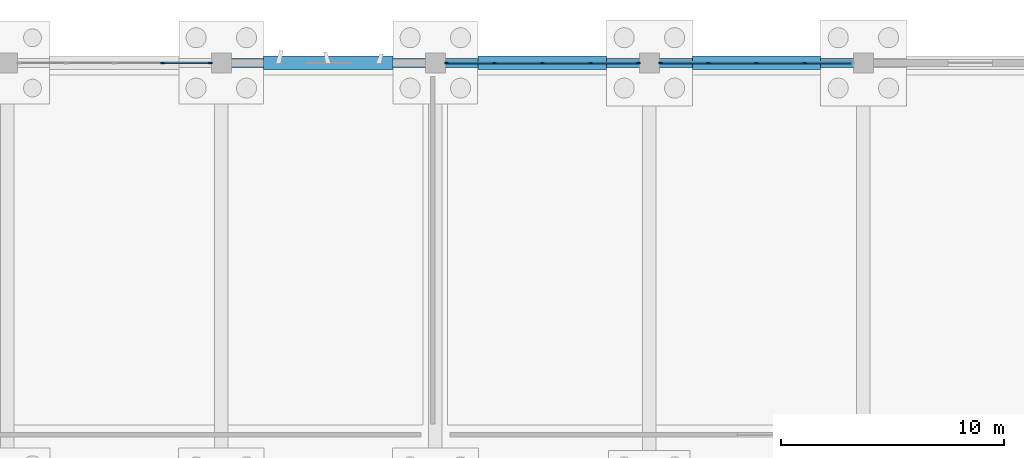
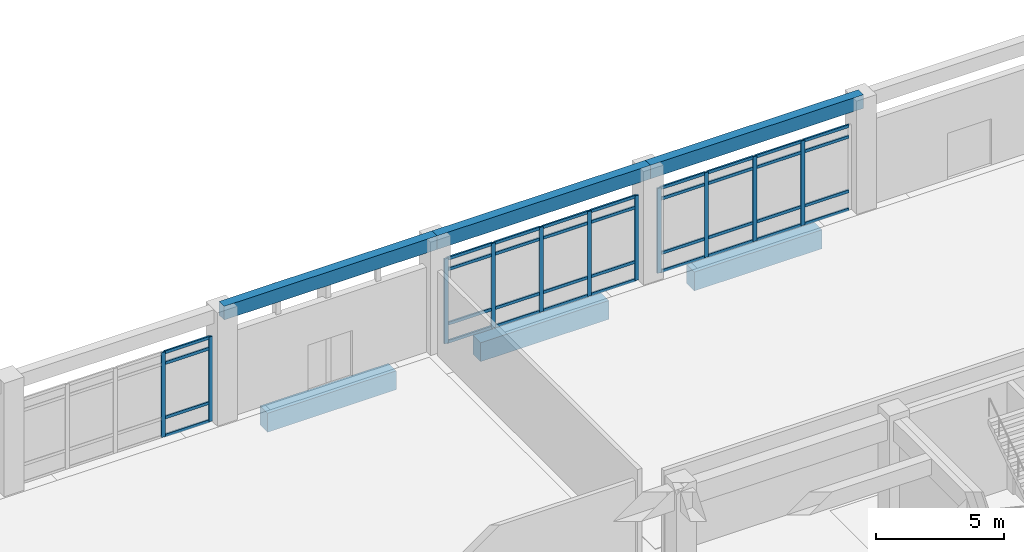
# One storey, part 38 of 102: 47 members, 6 beams, 3 elements without a shape of their own.
"""IFC4 building model written with IfcOpenShell, lengths in metres."""

from ifc_helpers import new_model, si_unit, direction, frame, origin, origin_2d, place, context, subcontext, project, spatial, rectangle, extrude, material, layer, layer_set, material_profile, profile_set, type_object, element, aggregate, save


model = new_model("IFC4")

# Units and contexts
model_context = context("Model", 3, precision=1e-05, world=origin(), true_north=direction((0.0, 1.0)))
body_context = subcontext(model_context, "Body", "Model", "MODEL_VIEW")
ifc_project = project(units=[si_unit("LENGTHUNIT", "METRE"), si_unit("AREAUNIT", "SQUARE_METRE"), si_unit("VOLUMEUNIT", "CUBIC_METRE"), si_unit("PLANEANGLEUNIT", "RADIAN"), si_unit("MASSUNIT", "GRAM", prefix="KILO")], contexts=[model_context])

# Site, building, storey
site_placement = place(None, origin())
site = spatial("IfcSite", under=ifc_project, at=site_placement, CompositionType="ELEMENT")
building_placement = place(site_placement, origin())
building = spatial("IfcBuilding", under=site, at=building_placement, Name="Kolvemor Railside Polytechnic", CompositionType="ELEMENT")
storey_placement = place(building_placement, origin())
storey = spatial("IfcBuildingStorey", under=building, at=storey_placement, Name="L00", CompositionType="ELEMENT", Elevation=0.0)

# Beams
ifc_material_1 = material(Name="Concrete C40/50", Category="concrete")
ifc_material_profile_1 = material_profile(ifc_material_1, rectangle(XDim=0.39990234375, YDim=0.64990234375, at=origin_2d()), Name="RC400x650")
ifc_profile_set_1 = profile_set([ifc_material_profile_1], Name="Concrete C40/50")
beam_type_1 = type_object("IfcBeamType", Name="BM-RC-EDGE", PredefinedType="LINTEL", material=ifc_profile_set_1)
beam_1_placement = place(storey_placement, frame((67.199951171875, 120.0, 5.074951171875), z_axis=(1.0, 0.0, 0.0), x_axis=(0.0, 1.0, 0.0)))
element("IfcBeam", 1, at=beam_1_placement, inside=storey, type_object=beam_type_1, Name="Workshop L01 Spandrel 2014", PredefinedType="LINTEL", context=body_context, shape_type="SweptSolid", body=[
    extrude(rectangle(XDim=0.39990234375, YDim=0.64990234375, at=origin_2d()), origin(), (0.0, 0.0, 1.0), 9.60009765625),
])
beam_2_placement = place(storey_placement, frame((76.800048828125, 120.0, 5.074951171875), z_axis=(1.0, 0.0, 0.0), x_axis=(0.0, 1.0, 0.0)))
element("IfcBeam", 2, at=beam_2_placement, inside=storey, type_object=beam_type_1, Name="Workshop L01 Spandrel 2015", PredefinedType="LINTEL", context=body_context, shape_type="SweptSolid", body=[
    extrude(rectangle(XDim=0.39990234375, YDim=0.64990234375, at=origin_2d()), origin(), (0.0, 0.0, 1.0), 9.599853515625),
])
beam_3_placement = place(storey_placement, frame((86.39990234375, 120.0, 5.074951171875), z_axis=(1.0, 0.0, 0.0), x_axis=(0.0, 1.0, 0.0)))
element("IfcBeam", 3, at=beam_3_placement, inside=storey, type_object=beam_type_1, Name="Workshop L01 Spandrel 2016", PredefinedType="LINTEL", context=body_context, shape_type="SweptSolid", body=[
    extrude(rectangle(XDim=0.39990234375, YDim=0.64990234375, at=origin_2d()), origin(), (0.0, 0.0, 1.0), 9.60009765625),
])
ifc_material_2 = material(Name="Concrete C40/50", Category="concrete")
ifc_material_profile_2 = material_profile(ifc_material_2, rectangle(XDim=0.60009765625, YDim=0.89990234375, at=origin_2d()), Name="RC600x900")
ifc_profile_set_2 = profile_set([ifc_material_profile_2], Name="Concrete C40/50")
beam_type_2 = type_object("IfcBeamType", Name="BM-RC-TIE", PredefinedType="BEAM", material=ifc_profile_set_2)
beam_4_placement = place(storey_placement, frame((69.10205078125, 120.0, -0.75), z_axis=(1.0, 0.0, 0.0), x_axis=(0.0, 1.0, 0.0)))
element("IfcBeam", 4, at=beam_4_placement, inside=storey, type_object=beam_type_2, Name="Ground Tie Beam GTB-X219", PredefinedType="BEAM", context=body_context, shape_type="SweptSolid", body=[
    extrude(rectangle(XDim=0.60009765625, YDim=0.89990234375, at=origin_2d()), origin(), (0.0, 0.0, 1.0), 5.7958984375),
])
beam_5_placement = place(storey_placement, frame((78.701904296875, 120.0, -0.75), z_axis=(1.0, 0.0, 0.0), x_axis=(0.0, 1.0, 0.0)))
element("IfcBeam", 5, at=beam_5_placement, inside=storey, type_object=beam_type_2, Name="Ground Tie Beam GTB-X220", PredefinedType="BEAM", context=body_context, shape_type="SweptSolid", body=[
    extrude(rectangle(XDim=0.60009765625, YDim=0.89990234375, at=origin_2d()), origin(), (0.0, 0.0, 1.0), 5.77099609375),
])
beam_6_placement = place(storey_placement, frame((88.326904296875, 120.0, -0.75), z_axis=(1.0, 0.0, 0.0), x_axis=(0.0, 1.0, 0.0)))
element("IfcBeam", 6, at=beam_6_placement, inside=storey, type_object=beam_type_2, Name="Ground Tie Beam GTB-X221", PredefinedType="BEAM", context=body_context, shape_type="SweptSolid", body=[
    extrude(rectangle(XDim=0.60009765625, YDim=0.89990234375, at=origin_2d()), origin(), (0.0, 0.0, 1.0), 5.74609375),
])

# Curtain wall, members
ifc_material_3 = material(Name="Anodised marine aluminium and laminated low-E glass", Category="aluminium")
ifc_layer = layer(ifc_material_3, 0.179931640625, Name="CW-UNIT-WKS")
ifc_layer_set = layer_set([ifc_layer], Name="Anodised marine aluminium and laminated low-E glass")
curtain_wall_type = type_object("IfcCurtainWallType", Name="CW-UNIT-WKS", PredefinedType="USERDEFINED", material=ifc_layer_set)
curtain_wall_1_placement = place(storey_placement, origin())
curtain_wall_1 = element("IfcCurtainWall", 7, at=curtain_wall_1_placement, inside=storey, type_object=curtain_wall_type, Name="Curtain Wall L00-007", ObjectType="UNITISED CURTAIN WALL", PredefinedType="USERDEFINED")
ifc_material_4 = material(Name="Anodised marine aluminium 6063-T6", Category="aluminium")
ifc_material_profile_3 = material_profile(ifc_material_4, rectangle(XDim=0.074951171875, YDim=0.179931640625, at=origin_2d()), Name="CW-MUL-75x180")
ifc_profile_set_3 = profile_set([ifc_material_profile_3], Name="Anodised marine aluminium 6063-T6")
member_type_1 = type_object("IfcMemberType", Name="CWM-75x180", PredefinedType="MULLION", material=ifc_profile_set_3)
member_1_placement = place(storey_placement, frame((66.6923828125, 120.0, 0.0), z_axis=(0.0, 0.0, 1.0), x_axis=(0.0, -1.0, 0.0)))
member_1 = element("IfcMember", 8, at=member_1_placement, type_object=member_type_1, Name="CW-WKS mullion 1", PredefinedType="MULLION", context=body_context, shape_type="SweptSolid", body=[
    extrude(rectangle(XDim=0.074951171875, YDim=0.179931640625, at=origin_2d()), origin(), (0.0, 0.0, 1.0), 4.0400390625),
])
member_2_placement = place(storey_placement, frame((64.56494140625, 120.0, 0.0), z_axis=(0.0, 0.0, 1.0), x_axis=(0.0, -1.0, 0.0)))
member_2 = element("IfcMember", 9, at=member_2_placement, type_object=member_type_1, Name="CW-WKS mullion 2", PredefinedType="MULLION", context=body_context, shape_type="SweptSolid", body=[
    extrude(rectangle(XDim=0.074951171875, YDim=0.179931640625, at=origin_2d()), origin(), (0.0, 0.0, 1.0), 4.0400390625),
])

curtain_wall_2_placement = place(storey_placement, origin())
curtain_wall_2 = element("IfcCurtainWall", 10, at=curtain_wall_2_placement, inside=storey, type_object=curtain_wall_type, Name="Curtain Wall L00-012", ObjectType="UNITISED CURTAIN WALL", PredefinedType="USERDEFINED")
member_3_placement = place(storey_placement, frame((85.892578125, 120.0, 0.0), z_axis=(0.0, 0.0, 1.0), x_axis=(0.0, -1.0, 0.0)))
member_3 = element("IfcMember", 11, at=member_3_placement, type_object=member_type_1, Name="CW-WKS mullion 1", PredefinedType="MULLION", context=body_context, shape_type="SweptSolid", body=[
    extrude(rectangle(XDim=0.074951171875, YDim=0.179931640625, at=origin_2d()), origin(), (0.0, 0.0, 1.0), 4.0400390625),
])
member_4_placement = place(storey_placement, frame((83.764892578125, 120.0, 0.0), z_axis=(0.0, 0.0, 1.0), x_axis=(0.0, -1.0, 0.0)))
member_4 = element("IfcMember", 12, at=member_4_placement, type_object=member_type_1, Name="CW-WKS mullion 2", PredefinedType="MULLION", context=body_context, shape_type="SweptSolid", body=[
    extrude(rectangle(XDim=0.074951171875, YDim=0.179931640625, at=origin_2d()), origin(), (0.0, 0.0, 1.0), 4.0400390625),
])
member_5_placement = place(storey_placement, frame((81.60009765625, 120.0, 0.0), z_axis=(0.0, 0.0, 1.0), x_axis=(0.0, -1.0, 0.0)))
member_5 = element("IfcMember", 13, at=member_5_placement, type_object=member_type_1, Name="CW-WKS mullion 3", PredefinedType="MULLION", context=body_context, shape_type="SweptSolid", body=[
    extrude(rectangle(XDim=0.074951171875, YDim=0.179931640625, at=origin_2d()), origin(), (0.0, 0.0, 1.0), 4.0400390625),
])
member_6_placement = place(storey_placement, frame((79.43505859375, 120.0, 0.0), z_axis=(0.0, 0.0, 1.0), x_axis=(0.0, -1.0, 0.0)))
member_6 = element("IfcMember", 14, at=member_6_placement, type_object=member_type_1, Name="CW-WKS mullion 4", PredefinedType="MULLION", context=body_context, shape_type="SweptSolid", body=[
    extrude(rectangle(XDim=0.074951171875, YDim=0.179931640625, at=origin_2d()), origin(), (0.0, 0.0, 1.0), 4.0400390625),
])
member_7_placement = place(storey_placement, frame((77.3076171875, 120.0, 0.0), z_axis=(0.0, 0.0, 1.0), x_axis=(0.0, -1.0, 0.0)))
member_7 = element("IfcMember", 15, at=member_7_placement, type_object=member_type_1, Name="CW-WKS mullion 5", PredefinedType="MULLION", context=body_context, shape_type="SweptSolid", body=[
    extrude(rectangle(XDim=0.074951171875, YDim=0.179931640625, at=origin_2d()), origin(), (0.0, 0.0, 1.0), 4.0400390625),
])

curtain_wall_3_placement = place(storey_placement, origin())
curtain_wall_3 = element("IfcCurtainWall", 16, at=curtain_wall_3_placement, inside=storey, type_object=curtain_wall_type, Name="Curtain Wall L00-015", ObjectType="UNITISED CURTAIN WALL", PredefinedType="USERDEFINED")
member_8_placement = place(storey_placement, frame((93.364990234375, 120.0, 0.0), z_axis=(0.0, 0.0, 1.0), x_axis=(0.0, -1.0, 0.0)))
member_8 = element("IfcMember", 17, at=member_8_placement, type_object=member_type_1, Name="CW-WKS mullion 2", PredefinedType="MULLION", context=body_context, shape_type="SweptSolid", body=[
    extrude(rectangle(XDim=0.074951171875, YDim=0.179931640625, at=origin_2d()), origin(), (0.0, 0.0, 1.0), 4.0400390625),
])
member_9_placement = place(storey_placement, frame((91.199951171875, 120.0, 0.0), z_axis=(0.0, 0.0, 1.0), x_axis=(0.0, -1.0, 0.0)))
member_9 = element("IfcMember", 18, at=member_9_placement, type_object=member_type_1, Name="CW-WKS mullion 3", PredefinedType="MULLION", context=body_context, shape_type="SweptSolid", body=[
    extrude(rectangle(XDim=0.074951171875, YDim=0.179931640625, at=origin_2d()), origin(), (0.0, 0.0, 1.0), 4.0400390625),
])
member_10_placement = place(storey_placement, frame((89.034912109375, 120.0, 0.0), z_axis=(0.0, 0.0, 1.0), x_axis=(0.0, -1.0, 0.0)))
member_10 = element("IfcMember", 19, at=member_10_placement, type_object=member_type_1, Name="CW-WKS mullion 4", PredefinedType="MULLION", context=body_context, shape_type="SweptSolid", body=[
    extrude(rectangle(XDim=0.074951171875, YDim=0.179931640625, at=origin_2d()), origin(), (0.0, 0.0, 1.0), 4.0400390625),
])
member_11_placement = place(storey_placement, frame((86.907470703125, 120.0, 0.0), z_axis=(0.0, 0.0, 1.0), x_axis=(0.0, -1.0, 0.0)))
member_11 = element("IfcMember", 20, at=member_11_placement, type_object=member_type_1, Name="CW-WKS mullion 5", PredefinedType="MULLION", context=body_context, shape_type="SweptSolid", body=[
    extrude(rectangle(XDim=0.074951171875, YDim=0.179931640625, at=origin_2d()), origin(), (0.0, 0.0, 1.0), 4.0400390625),
])

# Member
ifc_material_5 = material(Name="Anodised marine aluminium 6063-T6", Category="aluminium")
ifc_material_profile_4 = material_profile(ifc_material_5, rectangle(XDim=0.074951171875, YDim=0.139892578125, at=origin_2d()), Name="CW-TRN-75x140")
ifc_profile_set_4 = profile_set([ifc_material_profile_4], Name="Anodised marine aluminium 6063-T6")
member_type_2 = type_object("IfcMemberType", Name="CWT-75x140", PredefinedType="USERDEFINED", material=ifc_profile_set_4)
member_12_placement = place(storey_placement, frame((66.655029296875, 120.0, 0.03759765625), z_axis=(-1.0, 0.0, 0.0), x_axis=(0.0, -1.0, 0.0)))
member_12 = element("IfcMember", 21, at=member_12_placement, type_object=member_type_2, Name="CW-WKS transom 1.1", ObjectType="TRANSOM", PredefinedType="USERDEFINED", context=body_context, shape_type="SweptSolid", body=[
    extrude(rectangle(XDim=0.074951171875, YDim=0.139892578125, at=origin_2d()), origin(), (0.0, 0.0, 1.0), 2.052490234375),
])

member_13_placement = place(storey_placement, frame((66.655029296875, 120.0, 0.89990234375), z_axis=(-1.0, 0.0, 0.0), x_axis=(0.0, -1.0, 0.0)))
member_13 = element("IfcMember", 22, at=member_13_placement, type_object=member_type_2, Name="CW-WKS transom 1.2", ObjectType="TRANSOM", PredefinedType="USERDEFINED", context=body_context, shape_type="SweptSolid", body=[
    extrude(rectangle(XDim=0.074951171875, YDim=0.139892578125, at=origin_2d()), origin(), (0.0, 0.0, 1.0), 2.052490234375),
])

member_14_placement = place(storey_placement, frame((66.655029296875, 120.0, 3.489990234375), z_axis=(-1.0, 0.0, 0.0), x_axis=(0.0, -1.0, 0.0)))
member_14 = element("IfcMember", 23, at=member_14_placement, type_object=member_type_2, Name="CW-WKS transom 1.3", ObjectType="TRANSOM", PredefinedType="USERDEFINED", context=body_context, shape_type="SweptSolid", body=[
    extrude(rectangle(XDim=0.074951171875, YDim=0.139892578125, at=origin_2d()), origin(), (0.0, 0.0, 1.0), 2.052490234375),
])

member_15_placement = place(storey_placement, frame((66.655029296875, 120.0, 4.00244140625), z_axis=(-1.0, 0.0, 0.0), x_axis=(0.0, -1.0, 0.0)))
member_15 = element("IfcMember", 24, at=member_15_placement, type_object=member_type_2, Name="CW-WKS transom 1.4", ObjectType="TRANSOM", PredefinedType="USERDEFINED", context=body_context, shape_type="SweptSolid", body=[
    extrude(rectangle(XDim=0.074951171875, YDim=0.139892578125, at=origin_2d()), origin(), (0.0, 0.0, 1.0), 2.052490234375),
])

aggregate(curtain_wall_1, [member_1, member_2, member_12, member_13, member_14, member_15])

member_16_placement = place(storey_placement, frame((85.85498046875, 120.0, 0.03759765625), z_axis=(-1.0, 0.0, 0.0), x_axis=(0.0, -1.0, 0.0)))
member_16 = element("IfcMember", 25, at=member_16_placement, type_object=member_type_2, Name="CW-WKS transom 1.1", ObjectType="TRANSOM", PredefinedType="USERDEFINED", context=body_context, shape_type="SweptSolid", body=[
    extrude(rectangle(XDim=0.074951171875, YDim=0.139892578125, at=origin_2d()), origin(), (0.0, 0.0, 1.0), 2.052490234375),
])

member_17_placement = place(storey_placement, frame((85.85498046875, 120.0, 0.89990234375), z_axis=(-1.0, 0.0, 0.0), x_axis=(0.0, -1.0, 0.0)))
member_17 = element("IfcMember", 26, at=member_17_placement, type_object=member_type_2, Name="CW-WKS transom 1.2", ObjectType="TRANSOM", PredefinedType="USERDEFINED", context=body_context, shape_type="SweptSolid", body=[
    extrude(rectangle(XDim=0.074951171875, YDim=0.139892578125, at=origin_2d()), origin(), (0.0, 0.0, 1.0), 2.052490234375),
])

member_18_placement = place(storey_placement, frame((85.85498046875, 120.0, 3.489990234375), z_axis=(-1.0, 0.0, 0.0), x_axis=(0.0, -1.0, 0.0)))
member_18 = element("IfcMember", 27, at=member_18_placement, type_object=member_type_2, Name="CW-WKS transom 1.3", ObjectType="TRANSOM", PredefinedType="USERDEFINED", context=body_context, shape_type="SweptSolid", body=[
    extrude(rectangle(XDim=0.074951171875, YDim=0.139892578125, at=origin_2d()), origin(), (0.0, 0.0, 1.0), 2.052490234375),
])

member_19_placement = place(storey_placement, frame((85.85498046875, 120.0, 4.00244140625), z_axis=(-1.0, 0.0, 0.0), x_axis=(0.0, -1.0, 0.0)))
member_19 = element("IfcMember", 28, at=member_19_placement, type_object=member_type_2, Name="CW-WKS transom 1.4", ObjectType="TRANSOM", PredefinedType="USERDEFINED", context=body_context, shape_type="SweptSolid", body=[
    extrude(rectangle(XDim=0.074951171875, YDim=0.139892578125, at=origin_2d()), origin(), (0.0, 0.0, 1.0), 2.052490234375),
])

member_20_placement = place(storey_placement, frame((83.7275390625, 120.0, 0.03759765625), z_axis=(-1.0, 0.0, 0.0), x_axis=(0.0, -1.0, 0.0)))
member_20 = element("IfcMember", 29, at=member_20_placement, type_object=member_type_2, Name="CW-WKS transom 2.1", ObjectType="TRANSOM", PredefinedType="USERDEFINED", context=body_context, shape_type="SweptSolid", body=[
    extrude(rectangle(XDim=0.074951171875, YDim=0.139892578125, at=origin_2d()), origin(), (0.0, 0.0, 1.0), 2.090087890625),
])

member_21_placement = place(storey_placement, frame((83.7275390625, 120.0, 0.89990234375), z_axis=(-1.0, 0.0, 0.0), x_axis=(0.0, -1.0, 0.0)))
member_21 = element("IfcMember", 30, at=member_21_placement, type_object=member_type_2, Name="CW-WKS transom 2.2", ObjectType="TRANSOM", PredefinedType="USERDEFINED", context=body_context, shape_type="SweptSolid", body=[
    extrude(rectangle(XDim=0.074951171875, YDim=0.139892578125, at=origin_2d()), origin(), (0.0, 0.0, 1.0), 2.090087890625),
])

member_22_placement = place(storey_placement, frame((83.7275390625, 120.0, 3.489990234375), z_axis=(-1.0, 0.0, 0.0), x_axis=(0.0, -1.0, 0.0)))
member_22 = element("IfcMember", 31, at=member_22_placement, type_object=member_type_2, Name="CW-WKS transom 2.3", ObjectType="TRANSOM", PredefinedType="USERDEFINED", context=body_context, shape_type="SweptSolid", body=[
    extrude(rectangle(XDim=0.074951171875, YDim=0.139892578125, at=origin_2d()), origin(), (0.0, 0.0, 1.0), 2.090087890625),
])

member_23_placement = place(storey_placement, frame((83.7275390625, 120.0, 4.00244140625), z_axis=(-1.0, 0.0, 0.0), x_axis=(0.0, -1.0, 0.0)))
member_23 = element("IfcMember", 32, at=member_23_placement, type_object=member_type_2, Name="CW-WKS transom 2.4", ObjectType="TRANSOM", PredefinedType="USERDEFINED", context=body_context, shape_type="SweptSolid", body=[
    extrude(rectangle(XDim=0.074951171875, YDim=0.139892578125, at=origin_2d()), origin(), (0.0, 0.0, 1.0), 2.090087890625),
])

member_24_placement = place(storey_placement, frame((81.5625, 120.0, 0.03759765625), z_axis=(-1.0, 0.0, 0.0), x_axis=(0.0, -1.0, 0.0)))
member_24 = element("IfcMember", 33, at=member_24_placement, type_object=member_type_2, Name="CW-WKS transom 3.1", ObjectType="TRANSOM", PredefinedType="USERDEFINED", context=body_context, shape_type="SweptSolid", body=[
    extrude(rectangle(XDim=0.074951171875, YDim=0.139892578125, at=origin_2d()), origin(), (0.0, 0.0, 1.0), 2.090087890625),
])

member_25_placement = place(storey_placement, frame((81.5625, 120.0, 0.89990234375), z_axis=(-1.0, 0.0, 0.0), x_axis=(0.0, -1.0, 0.0)))
member_25 = element("IfcMember", 34, at=member_25_placement, type_object=member_type_2, Name="CW-WKS transom 3.2", ObjectType="TRANSOM", PredefinedType="USERDEFINED", context=body_context, shape_type="SweptSolid", body=[
    extrude(rectangle(XDim=0.074951171875, YDim=0.139892578125, at=origin_2d()), origin(), (0.0, 0.0, 1.0), 2.090087890625),
])

member_26_placement = place(storey_placement, frame((81.5625, 120.0, 3.489990234375), z_axis=(-1.0, 0.0, 0.0), x_axis=(0.0, -1.0, 0.0)))
member_26 = element("IfcMember", 35, at=member_26_placement, type_object=member_type_2, Name="CW-WKS transom 3.3", ObjectType="TRANSOM", PredefinedType="USERDEFINED", context=body_context, shape_type="SweptSolid", body=[
    extrude(rectangle(XDim=0.074951171875, YDim=0.139892578125, at=origin_2d()), origin(), (0.0, 0.0, 1.0), 2.090087890625),
])

member_27_placement = place(storey_placement, frame((81.5625, 120.0, 4.00244140625), z_axis=(-1.0, 0.0, 0.0), x_axis=(0.0, -1.0, 0.0)))
member_27 = element("IfcMember", 36, at=member_27_placement, type_object=member_type_2, Name="CW-WKS transom 3.4", ObjectType="TRANSOM", PredefinedType="USERDEFINED", context=body_context, shape_type="SweptSolid", body=[
    extrude(rectangle(XDim=0.074951171875, YDim=0.139892578125, at=origin_2d()), origin(), (0.0, 0.0, 1.0), 2.090087890625),
])

member_28_placement = place(storey_placement, frame((79.3974609375, 120.0, 0.03759765625), z_axis=(-1.0, 0.0, 0.0), x_axis=(0.0, -1.0, 0.0)))
member_28 = element("IfcMember", 37, at=member_28_placement, type_object=member_type_2, Name="CW-WKS transom 4.1", ObjectType="TRANSOM", PredefinedType="USERDEFINED", context=body_context, shape_type="SweptSolid", body=[
    extrude(rectangle(XDim=0.074951171875, YDim=0.139892578125, at=origin_2d()), origin(), (0.0, 0.0, 1.0), 2.052490234375),
])

member_29_placement = place(storey_placement, frame((79.3974609375, 120.0, 0.89990234375), z_axis=(-1.0, 0.0, 0.0), x_axis=(0.0, -1.0, 0.0)))
member_29 = element("IfcMember", 38, at=member_29_placement, type_object=member_type_2, Name="CW-WKS transom 4.2", ObjectType="TRANSOM", PredefinedType="USERDEFINED", context=body_context, shape_type="SweptSolid", body=[
    extrude(rectangle(XDim=0.074951171875, YDim=0.139892578125, at=origin_2d()), origin(), (0.0, 0.0, 1.0), 2.052490234375),
])

member_30_placement = place(storey_placement, frame((79.3974609375, 120.0, 3.489990234375), z_axis=(-1.0, 0.0, 0.0), x_axis=(0.0, -1.0, 0.0)))
member_30 = element("IfcMember", 39, at=member_30_placement, type_object=member_type_2, Name="CW-WKS transom 4.3", ObjectType="TRANSOM", PredefinedType="USERDEFINED", context=body_context, shape_type="SweptSolid", body=[
    extrude(rectangle(XDim=0.074951171875, YDim=0.139892578125, at=origin_2d()), origin(), (0.0, 0.0, 1.0), 2.052490234375),
])

member_31_placement = place(storey_placement, frame((79.3974609375, 120.0, 4.00244140625), z_axis=(-1.0, 0.0, 0.0), x_axis=(0.0, -1.0, 0.0)))
member_31 = element("IfcMember", 40, at=member_31_placement, type_object=member_type_2, Name="CW-WKS transom 4.4", ObjectType="TRANSOM", PredefinedType="USERDEFINED", context=body_context, shape_type="SweptSolid", body=[
    extrude(rectangle(XDim=0.074951171875, YDim=0.139892578125, at=origin_2d()), origin(), (0.0, 0.0, 1.0), 2.052490234375),
])

aggregate(curtain_wall_2, [member_3, member_4, member_5, member_6, member_7, member_16, member_17, member_18, member_19, member_20, member_21, member_22, member_23, member_24, member_25, member_26, member_27, member_28, member_29, member_30, member_31])

member_32_placement = place(storey_placement, frame((95.455078125, 120.0, 0.03759765625), z_axis=(-1.0, 0.0, 0.0), x_axis=(0.0, -1.0, 0.0)))
member_32 = element("IfcMember", 41, at=member_32_placement, type_object=member_type_2, Name="CW-WKS transom 1.1", ObjectType="TRANSOM", PredefinedType="USERDEFINED", context=body_context, shape_type="SweptSolid", body=[
    extrude(rectangle(XDim=0.074951171875, YDim=0.139892578125, at=origin_2d()), origin(), (0.0, 0.0, 1.0), 2.052490234375),
])

member_33_placement = place(storey_placement, frame((95.455078125, 120.0, 0.89990234375), z_axis=(-1.0, 0.0, 0.0), x_axis=(0.0, -1.0, 0.0)))
member_33 = element("IfcMember", 42, at=member_33_placement, type_object=member_type_2, Name="CW-WKS transom 1.2", ObjectType="TRANSOM", PredefinedType="USERDEFINED", context=body_context, shape_type="SweptSolid", body=[
    extrude(rectangle(XDim=0.074951171875, YDim=0.139892578125, at=origin_2d()), origin(), (0.0, 0.0, 1.0), 2.052490234375),
])

member_34_placement = place(storey_placement, frame((95.455078125, 120.0, 3.489990234375), z_axis=(-1.0, 0.0, 0.0), x_axis=(0.0, -1.0, 0.0)))
member_34 = element("IfcMember", 43, at=member_34_placement, type_object=member_type_2, Name="CW-WKS transom 1.3", ObjectType="TRANSOM", PredefinedType="USERDEFINED", context=body_context, shape_type="SweptSolid", body=[
    extrude(rectangle(XDim=0.074951171875, YDim=0.139892578125, at=origin_2d()), origin(), (0.0, 0.0, 1.0), 2.052490234375),
])

member_35_placement = place(storey_placement, frame((95.455078125, 120.0, 4.00244140625), z_axis=(-1.0, 0.0, 0.0), x_axis=(0.0, -1.0, 0.0)))
member_35 = element("IfcMember", 44, at=member_35_placement, type_object=member_type_2, Name="CW-WKS transom 1.4", ObjectType="TRANSOM", PredefinedType="USERDEFINED", context=body_context, shape_type="SweptSolid", body=[
    extrude(rectangle(XDim=0.074951171875, YDim=0.139892578125, at=origin_2d()), origin(), (0.0, 0.0, 1.0), 2.052490234375),
])

member_36_placement = place(storey_placement, frame((93.327392578125, 120.0, 0.03759765625), z_axis=(-1.0, 0.0, 0.0), x_axis=(0.0, -1.0, 0.0)))
member_36 = element("IfcMember", 45, at=member_36_placement, type_object=member_type_2, Name="CW-WKS transom 2.1", ObjectType="TRANSOM", PredefinedType="USERDEFINED", context=body_context, shape_type="SweptSolid", body=[
    extrude(rectangle(XDim=0.074951171875, YDim=0.139892578125, at=origin_2d()), origin(), (0.0, 0.0, 1.0), 2.08984375),
])

member_37_placement = place(storey_placement, frame((93.327392578125, 120.0, 0.89990234375), z_axis=(-1.0, 0.0, 0.0), x_axis=(0.0, -1.0, 0.0)))
member_37 = element("IfcMember", 46, at=member_37_placement, type_object=member_type_2, Name="CW-WKS transom 2.2", ObjectType="TRANSOM", PredefinedType="USERDEFINED", context=body_context, shape_type="SweptSolid", body=[
    extrude(rectangle(XDim=0.074951171875, YDim=0.139892578125, at=origin_2d()), origin(), (0.0, 0.0, 1.0), 2.08984375),
])

member_38_placement = place(storey_placement, frame((93.327392578125, 120.0, 3.489990234375), z_axis=(-1.0, 0.0, 0.0), x_axis=(0.0, -1.0, 0.0)))
member_38 = element("IfcMember", 47, at=member_38_placement, type_object=member_type_2, Name="CW-WKS transom 2.3", ObjectType="TRANSOM", PredefinedType="USERDEFINED", context=body_context, shape_type="SweptSolid", body=[
    extrude(rectangle(XDim=0.074951171875, YDim=0.139892578125, at=origin_2d()), origin(), (0.0, 0.0, 1.0), 2.08984375),
])

member_39_placement = place(storey_placement, frame((93.327392578125, 120.0, 4.00244140625), z_axis=(-1.0, 0.0, 0.0), x_axis=(0.0, -1.0, 0.0)))
member_39 = element("IfcMember", 48, at=member_39_placement, type_object=member_type_2, Name="CW-WKS transom 2.4", ObjectType="TRANSOM", PredefinedType="USERDEFINED", context=body_context, shape_type="SweptSolid", body=[
    extrude(rectangle(XDim=0.074951171875, YDim=0.139892578125, at=origin_2d()), origin(), (0.0, 0.0, 1.0), 2.08984375),
])

member_40_placement = place(storey_placement, frame((91.16259765625, 120.0, 0.03759765625), z_axis=(-1.0, 0.0, 0.0), x_axis=(0.0, -1.0, 0.0)))
member_40 = element("IfcMember", 49, at=member_40_placement, type_object=member_type_2, Name="CW-WKS transom 3.1", ObjectType="TRANSOM", PredefinedType="USERDEFINED", context=body_context, shape_type="SweptSolid", body=[
    extrude(rectangle(XDim=0.074951171875, YDim=0.139892578125, at=origin_2d()), origin(), (0.0, 0.0, 1.0), 2.090087890625),
])

member_41_placement = place(storey_placement, frame((91.16259765625, 120.0, 0.89990234375), z_axis=(-1.0, 0.0, 0.0), x_axis=(0.0, -1.0, 0.0)))
member_41 = element("IfcMember", 50, at=member_41_placement, type_object=member_type_2, Name="CW-WKS transom 3.2", ObjectType="TRANSOM", PredefinedType="USERDEFINED", context=body_context, shape_type="SweptSolid", body=[
    extrude(rectangle(XDim=0.074951171875, YDim=0.139892578125, at=origin_2d()), origin(), (0.0, 0.0, 1.0), 2.090087890625),
])

member_42_placement = place(storey_placement, frame((91.16259765625, 120.0, 3.489990234375), z_axis=(-1.0, 0.0, 0.0), x_axis=(0.0, -1.0, 0.0)))
member_42 = element("IfcMember", 51, at=member_42_placement, type_object=member_type_2, Name="CW-WKS transom 3.3", ObjectType="TRANSOM", PredefinedType="USERDEFINED", context=body_context, shape_type="SweptSolid", body=[
    extrude(rectangle(XDim=0.074951171875, YDim=0.139892578125, at=origin_2d()), origin(), (0.0, 0.0, 1.0), 2.090087890625),
])

member_43_placement = place(storey_placement, frame((91.16259765625, 120.0, 4.00244140625), z_axis=(-1.0, 0.0, 0.0), x_axis=(0.0, -1.0, 0.0)))
member_43 = element("IfcMember", 52, at=member_43_placement, type_object=member_type_2, Name="CW-WKS transom 3.4", ObjectType="TRANSOM", PredefinedType="USERDEFINED", context=body_context, shape_type="SweptSolid", body=[
    extrude(rectangle(XDim=0.074951171875, YDim=0.139892578125, at=origin_2d()), origin(), (0.0, 0.0, 1.0), 2.090087890625),
])

member_44_placement = place(storey_placement, frame((88.99755859375, 120.0, 0.03759765625), z_axis=(-1.0, 0.0, 0.0), x_axis=(0.0, -1.0, 0.0)))
member_44 = element("IfcMember", 53, at=member_44_placement, type_object=member_type_2, Name="CW-WKS transom 4.1", ObjectType="TRANSOM", PredefinedType="USERDEFINED", context=body_context, shape_type="SweptSolid", body=[
    extrude(rectangle(XDim=0.074951171875, YDim=0.139892578125, at=origin_2d()), origin(), (0.0, 0.0, 1.0), 2.052490234375),
])

member_45_placement = place(storey_placement, frame((88.99755859375, 120.0, 0.89990234375), z_axis=(-1.0, 0.0, 0.0), x_axis=(0.0, -1.0, 0.0)))
member_45 = element("IfcMember", 54, at=member_45_placement, type_object=member_type_2, Name="CW-WKS transom 4.2", ObjectType="TRANSOM", PredefinedType="USERDEFINED", context=body_context, shape_type="SweptSolid", body=[
    extrude(rectangle(XDim=0.074951171875, YDim=0.139892578125, at=origin_2d()), origin(), (0.0, 0.0, 1.0), 2.052490234375),
])

member_46_placement = place(storey_placement, frame((88.99755859375, 120.0, 3.489990234375), z_axis=(-1.0, 0.0, 0.0), x_axis=(0.0, -1.0, 0.0)))
member_46 = element("IfcMember", 55, at=member_46_placement, type_object=member_type_2, Name="CW-WKS transom 4.3", ObjectType="TRANSOM", PredefinedType="USERDEFINED", context=body_context, shape_type="SweptSolid", body=[
    extrude(rectangle(XDim=0.074951171875, YDim=0.139892578125, at=origin_2d()), origin(), (0.0, 0.0, 1.0), 2.052490234375),
])

member_47_placement = place(storey_placement, frame((88.99755859375, 120.0, 4.00244140625), z_axis=(-1.0, 0.0, 0.0), x_axis=(0.0, -1.0, 0.0)))
member_47 = element("IfcMember", 56, at=member_47_placement, type_object=member_type_2, Name="CW-WKS transom 4.4", ObjectType="TRANSOM", PredefinedType="USERDEFINED", context=body_context, shape_type="SweptSolid", body=[
    extrude(rectangle(XDim=0.074951171875, YDim=0.139892578125, at=origin_2d()), origin(), (0.0, 0.0, 1.0), 2.052490234375),
])

aggregate(curtain_wall_3, [member_8, member_9, member_10, member_11, member_32, member_33, member_34, member_35, member_36, member_37, member_38, member_39, member_40, member_41, member_42, member_43, member_44, member_45, member_46, member_47])

save(model, "model.ifc")
